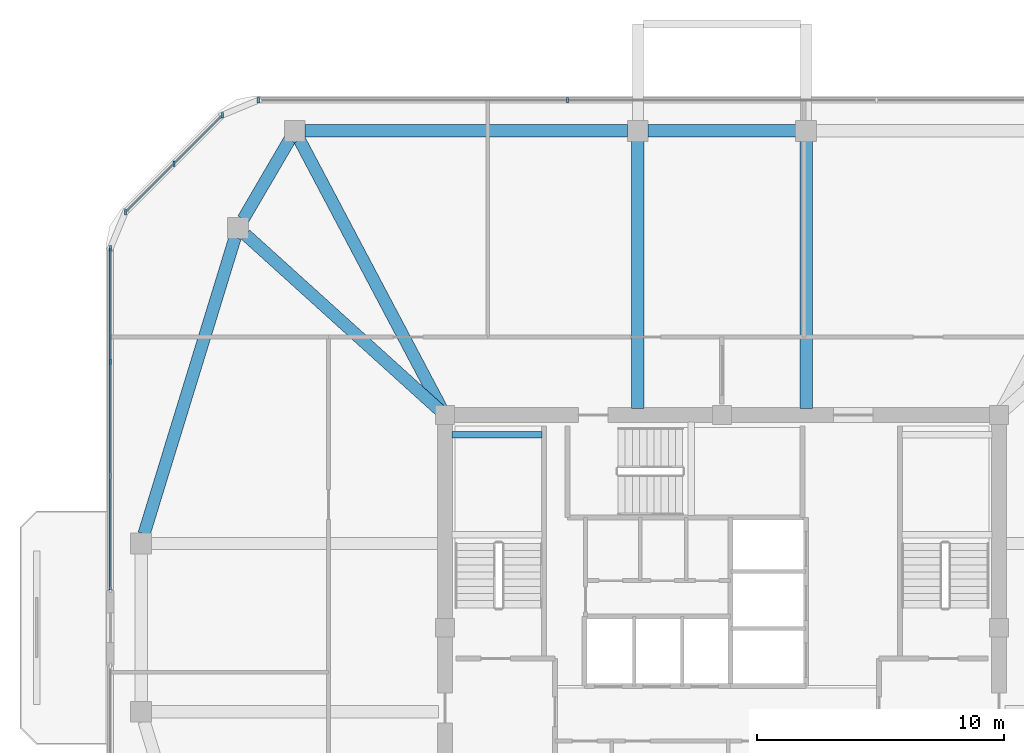
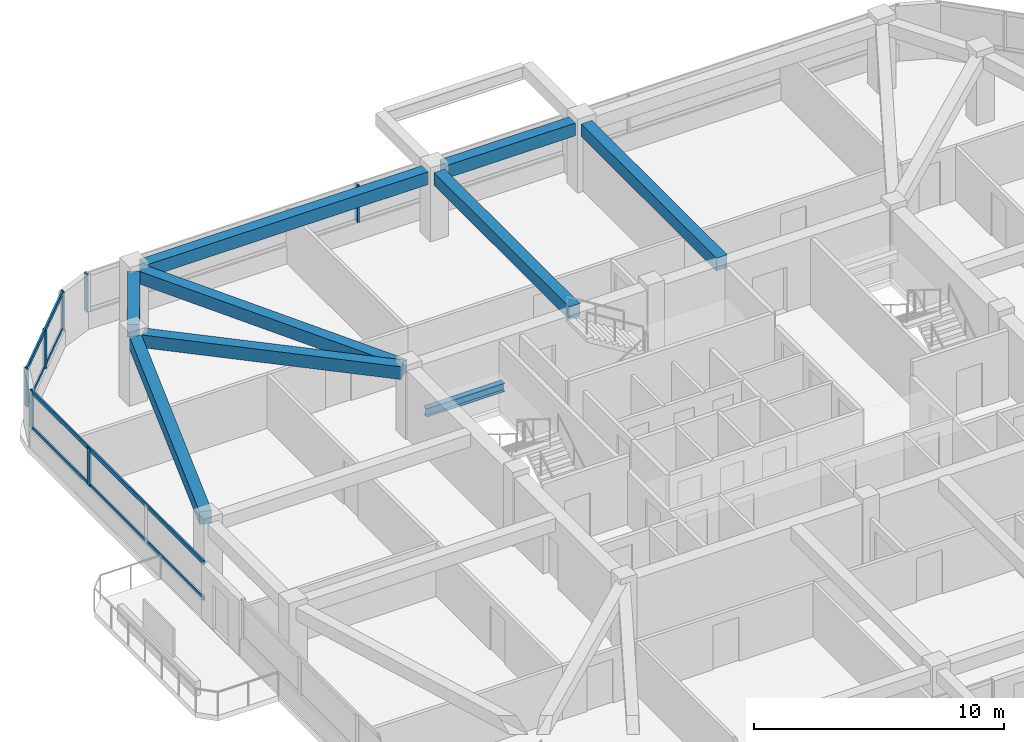
# One storey, part 4 of 12: 11 members, 9 beams, 3 elements without a shape of their own.
"""IFC4 building model written with IfcOpenShell, lengths in metres."""

from ifc_helpers import new_model, si_unit, derived_unit, direction, frame, origin, origin_2d, place, context, subcontext, project, spatial, rectangle, i_section, extrude, material, material_profile, profile_set, type_object, element, aggregate, save


model = new_model("IFC4")

# Units and contexts
model_context = context("Model", 3, precision=1e-05, world=origin(), true_north=direction((0.0, 1.0)))
body_context = subcontext(model_context, "Body", "Model", "MODEL_VIEW")
ifc_project = project(units=[si_unit("LENGTHUNIT", "METRE"), si_unit("AREAUNIT", "SQUARE_METRE"), si_unit("VOLUMEUNIT", "CUBIC_METRE"), si_unit("PLANEANGLEUNIT", "RADIAN"), si_unit("MASSUNIT", "GRAM", prefix="KILO"), derived_unit("THERMALTRANSMITTANCEUNIT", [(si_unit("POWERUNIT", "WATT"), 1), (si_unit("LENGTHUNIT", "METRE"), -2), (si_unit("THERMODYNAMICTEMPERATUREUNIT", "KELVIN"), -1)])], contexts=[model_context])

# Site, building, storey
site_placement = place(None, origin())
site = spatial("IfcSite", under=ifc_project, at=site_placement, CompositionType="ELEMENT")
building_placement = place(site_placement, origin())
building = spatial("IfcBuilding", under=site, at=building_placement, Name="Koralith Skygarden Medical Center", CompositionType="ELEMENT")
storey_placement = place(building_placement, frame((0.0, 0.0, 278.820068359375)))
storey = spatial("IfcBuildingStorey", under=building, at=storey_placement, Name="L72", CompositionType="ELEMENT", Elevation=278.820068359375)

# Curtain wall, members
ifc_material_1 = material(Name="Clear Laminated Glass", Category="glass")
curtain_wall_type = type_object("IfcCurtainWallType", Name="CW-6 Zone 5 Upper Clinical Curtain Wall", PredefinedType="NOTDEFINED", material=ifc_material_1)
curtain_wall_1_placement = place(storey_placement, origin())
curtain_wall_1 = element("IfcCurtainWall", 1, at=curtain_wall_1_placement, inside=storey, type_object=curtain_wall_type, Name="Curtain Wall CW-L72-N", PredefinedType="NOTDEFINED")
ifc_material_2 = material(Name="Aluminium 6063-T6", Category="aluminium")
ifc_material_profile_1 = material_profile(ifc_material_2, rectangle(XDim=0.0830078125, YDim=0.219970703125, at=origin_2d()), Name="MUL83X220")
ifc_profile_set_1 = profile_set([ifc_material_profile_1], Name="Aluminium 6063-T6")
member_type_1 = type_object("IfcMemberType", Name="CW-6 Extruded Mullion 83x220", PredefinedType="MULLION", material=ifc_profile_set_1)
member_1_placement = place(storey_placement, frame((30.751953125, 47.219970703125, 0.849853515625), z_axis=(0.0, 0.0, 1.0), x_axis=(1.0, 0.0, 0.0)))
member_1 = element("IfcMember", 2, at=member_1_placement, type_object=member_type_1, Name="CW-L72-N Mullion 3", PredefinedType="MULLION", context=body_context, shape_type="SweptSolid", body=[
    extrude(rectangle(XDim=0.0830078125, YDim=0.219970703125, at=origin_2d()), origin(), (0.0, 0.0, 1.0), 1.840087890625),
])
member_2_placement = place(storey_placement, frame((18.2548828125, 47.219970703125, 0.849853515625), z_axis=(0.0, 0.0, 1.0), x_axis=(1.0, 0.0, 0.0)))
member_2 = element("IfcMember", 3, at=member_2_placement, type_object=member_type_1, Name="CW-L72-N Mullion 4", PredefinedType="MULLION", context=body_context, shape_type="SweptSolid", body=[
    extrude(rectangle(XDim=0.0830078125, YDim=0.219970703125, at=origin_2d()), origin(), (0.0, 0.0, 1.0), 1.840087890625),
])
aggregate(curtain_wall_1, [member_1, member_2])

curtain_wall_2_placement = place(storey_placement, origin())
curtain_wall_2 = element("IfcCurtainWall", 4, at=curtain_wall_2_placement, inside=storey, type_object=curtain_wall_type, Name="Curtain Wall CW-L72-NW", PredefinedType="NOTDEFINED")
member_3_placement = place(storey_placement, frame((16.803955078125, 46.618896484375, 0.849853515625), z_axis=(0.0, 0.0, 1.0), x_axis=(1.0, 0.0, 0.0)))
member_3 = element("IfcMember", 5, at=member_3_placement, type_object=member_type_1, Name="CW-L72-NW Mullion 1", PredefinedType="MULLION", context=body_context, shape_type="SweptSolid", body=[
    extrude(rectangle(XDim=0.0830078125, YDim=0.219970703125, at=origin_2d()), origin(), (0.0, 0.0, 1.0), 1.840087890625),
])
member_4_placement = place(storey_placement, frame((14.842041015625, 44.656982421875, 0.849853515625), z_axis=(0.0, 0.0, 1.0), x_axis=(1.0, 0.0, 0.0)))
member_4 = element("IfcMember", 6, at=member_4_placement, type_object=member_type_1, Name="CW-L72-NW Mullion 2", PredefinedType="MULLION", context=body_context, shape_type="SweptSolid", body=[
    extrude(rectangle(XDim=0.0830078125, YDim=0.219970703125, at=origin_2d()), origin(), (0.0, 0.0, 1.0), 1.840087890625),
])
member_5_placement = place(storey_placement, frame((12.881103515625, 42.696044921875, 0.849853515625), z_axis=(0.0, 0.0, 1.0), x_axis=(1.0, 0.0, 0.0)))
member_5 = element("IfcMember", 7, at=member_5_placement, type_object=member_type_1, Name="CW-L72-NW Mullion 3", PredefinedType="MULLION", context=body_context, shape_type="SweptSolid", body=[
    extrude(rectangle(XDim=0.0830078125, YDim=0.219970703125, at=origin_2d()), origin(), (0.0, 0.0, 1.0), 1.840087890625),
])

curtain_wall_3_placement = place(storey_placement, origin())
curtain_wall_3 = element("IfcCurtainWall", 8, at=curtain_wall_3_placement, inside=storey, type_object=curtain_wall_type, Name="Curtain Wall CW-L72-W-L", PredefinedType="NOTDEFINED")
member_6_placement = place(storey_placement, frame((12.280029296875, 41.2451171875, 0.849853515625), z_axis=(0.0, 0.0, 1.0), x_axis=(1.0, 0.0, 0.0)))
member_6 = element("IfcMember", 9, at=member_6_placement, type_object=member_type_1, Name="CW-L72-W-L Mullion 1", PredefinedType="MULLION", context=body_context, shape_type="SweptSolid", body=[
    extrude(rectangle(XDim=0.0830078125, YDim=0.219970703125, at=origin_2d()), origin(), (0.0, 0.0, 1.0), 1.840087890625),
])
member_7_placement = place(storey_placement, frame((12.280029296875, 36.64306640625, 0.849853515625), z_axis=(0.0, 0.0, 1.0), x_axis=(1.0, 0.0, 0.0)))
member_7 = element("IfcMember", 10, at=member_7_placement, type_object=member_type_1, Name="CW-L72-W-L Mullion 2", PredefinedType="MULLION", context=body_context, shape_type="SweptSolid", body=[
    extrude(rectangle(XDim=0.0830078125, YDim=0.219970703125, at=origin_2d()), origin(), (0.0, 0.0, 1.0), 1.840087890625),
])

# Member
ifc_material_profile_2 = material_profile(ifc_material_2, rectangle(XDim=0.077880859375, YDim=0.197998046875, at=origin_2d()), Name="TRN78X198")
ifc_profile_set_2 = profile_set([ifc_material_profile_2], Name="Aluminium 6063-T6")
member_type_2 = type_object("IfcMemberType", Name="CW-6 Thermal Transom 78x198", PredefinedType="USERDEFINED", material=ifc_profile_set_2)
member_8_placement = place(storey_placement, frame((16.803955078125, 46.618896484375, 0.89990234375), z_axis=(-0.707106781187, -0.707106781187, 0.0), x_axis=(0.707106781187, -0.707106781187, 0.0)))
member_8 = element("IfcMember", 11, at=member_8_placement, type_object=member_type_2, Name="CW-L72-NW Transom 1", ObjectType="TRANSOM", PredefinedType="USERDEFINED", context=body_context, shape_type="SweptSolid", body=[
    extrude(rectangle(XDim=0.077880859375, YDim=0.197998046875, at=origin_2d()), origin(), (0.0, 0.0, 1.0), 5.5478515625),
])

member_9_placement = place(storey_placement, frame((16.803955078125, 46.618896484375, 2.639892578125), z_axis=(-0.707106781187, -0.707106781187, 0.0), x_axis=(0.707106781187, -0.707106781187, 0.0)))
member_9 = element("IfcMember", 12, at=member_9_placement, type_object=member_type_2, Name="CW-L72-NW Transom 2", ObjectType="TRANSOM", PredefinedType="USERDEFINED", context=body_context, shape_type="SweptSolid", body=[
    extrude(rectangle(XDim=0.077880859375, YDim=0.197998046875, at=origin_2d()), origin(), (0.0, 0.0, 1.0), 5.5478515625),
])

aggregate(curtain_wall_2, [member_3, member_4, member_5, member_8, member_9])

member_10_placement = place(storey_placement, frame((12.280029296875, 41.2451171875, 0.89990234375), z_axis=(0.0, -1.0, 0.0), x_axis=(1.0, 0.0, 0.0)))
member_10 = element("IfcMember", 13, at=member_10_placement, type_object=member_type_2, Name="CW-L72-W-L Transom 1", ObjectType="TRANSOM", PredefinedType="USERDEFINED", context=body_context, shape_type="SweptSolid", body=[
    extrude(rectangle(XDim=0.077880859375, YDim=0.197998046875, at=origin_2d()), origin(), (0.0, 0.0, 1.0), 13.80517578125),
])

member_11_placement = place(storey_placement, frame((12.280029296875, 41.2451171875, 2.639892578125), z_axis=(0.0, -1.0, 0.0), x_axis=(1.0, 0.0, 0.0)))
member_11 = element("IfcMember", 14, at=member_11_placement, type_object=member_type_2, Name="CW-L72-W-L Transom 2", ObjectType="TRANSOM", PredefinedType="USERDEFINED", context=body_context, shape_type="SweptSolid", body=[
    extrude(rectangle(XDim=0.077880859375, YDim=0.197998046875, at=origin_2d()), origin(), (0.0, 0.0, 1.0), 13.80517578125),
])

aggregate(curtain_wall_3, [member_6, member_7, member_10, member_11])

# Beams
ifc_material_3 = material(Name="Steel ASTM A992 Grade 50", Category="steel")
ifc_material_profile_3 = material_profile(ifc_material_3, i_section(OverallWidth=0.260009765625, OverallDepth=0.4150390625, WebThickness=0.010009765625, FlangeThickness=0.016845703125, at=origin_2d()), Name="W16X67")
ifc_profile_set_3 = profile_set([ifc_material_profile_3], Name="Steel ASTM A992 Grade 50")
beam_type_1 = type_object("IfcBeamType", Name="Clinical Floor Joist W16X67", PredefinedType="JOIST", material=ifc_profile_set_3)
beam_1_placement = place(storey_placement, frame((26.080078125, 33.699951171875, 1.392822265625), z_axis=(1.0, 0.0, 0.0), x_axis=(0.0, 1.0, 0.0)))
element("IfcBeam", 15, at=beam_1_placement, inside=storey, type_object=beam_type_1, Name="L72 Stair ST1 Half-Landing Support Beam 1B", PredefinedType="JOIST", context=body_context, shape_type="SweptSolid", body=[
    extrude(i_section(OverallWidth=0.260009765625, OverallDepth=0.4150390625, WebThickness=0.010009765625, FlangeThickness=0.016845703125, at=origin_2d()), origin(), (0.0, 0.0, 1.0), 3.639892578125),
])
ifc_material_4 = material(Name="Concrete C45/55", Category="concrete")
ifc_material_profile_4 = material_profile(ifc_material_4, rectangle(XDim=0.5, YDim=0.6201171875, at=origin_2d()), Name="RCB500X620")
ifc_profile_set_4 = profile_set([ifc_material_profile_4], Name="Concrete C45/55")
beam_type_2 = type_object("IfcBeamType", Name="Upper Radial Collector Beam RCB500X620", PredefinedType="BEAM", material=ifc_profile_set_4)
for number, where, z_axis, x_axis, name in (
    (16, (40.39990234375, 34.75, 3.010009765625), (0.0, 1.0, 0.0), (-1.0, 0.0, 0.0), "L72 Radial Collector Beam RB-12"),
    (17, (33.60009765625, 34.75, 3.010009765625), (0.0, 1.0, 0.0), (-1.0, 0.0, 0.0), "L72 Radial Collector Beam RB-13"),
):
    element("IfcBeam", number, at=place(storey_placement, frame(where, z_axis=z_axis, x_axis=x_axis)), inside=storey, type_object=beam_type_2, Name=name, PredefinedType="BEAM", context=body_context, shape_type="SweptSolid", body=[
        extrude(rectangle(XDim=0.5, YDim=0.6201171875, at=origin_2d()), origin(), (0.0, 0.0, 1.0), 10.820068359375),
    ])
beam_2_placement = place(storey_placement, frame((25.68310546875, 34.720947265625, 3.010009765625), z_axis=(-0.467256895772, 0.884121594213, 0.0), x_axis=(-0.884121594213, -0.467256895772, 0.0)))
element("IfcBeam", 18, at=beam_2_placement, inside=storey, type_object=beam_type_2, Name="L72 Radial Collector Beam RB-14", PredefinedType="BEAM", context=body_context, shape_type="SweptSolid", body=[
    extrude(rectangle(XDim=0.5, YDim=0.6201171875, at=origin_2d()), origin(), (0.0, 0.0, 1.0), 12.3251953125),
])
beam_3_placement = place(storey_placement, frame((25.614990234375, 34.66796875, 3.010009765625), z_axis=(-0.741747768548, 0.670678945438, 0.0), x_axis=(-0.670678945438, -0.741747768548, 0.0)))
element("IfcBeam", 19, at=beam_3_placement, inside=storey, type_object=beam_type_2, Name="L72 Radial Collector Beam RB-15", PredefinedType="BEAM", context=body_context, shape_type="SweptSolid", body=[
    extrude(rectangle(XDim=0.5, YDim=0.6201171875, at=origin_2d()), origin(), (0.0, 0.0, 1.0), 10.611572265625),
])
ifc_material_profile_5 = material_profile(ifc_material_4, rectangle(XDim=0.5, YDim=0.6201171875, at=origin_2d()), Name="RCB500X620")
ifc_profile_set_5 = profile_set([ifc_material_profile_5], Name="Concrete C45/55")
beam_type_3 = type_object("IfcBeamType", Name="Zone 4-5 Spandrel Beam RCB500X620", PredefinedType="SPANDREL", material=ifc_profile_set_5)
beam_4_placement = place(storey_placement, frame((39.989990234375, 45.97998046875, 3.010009765625), z_axis=(-1.0, 0.0, 0.0), x_axis=(0.0, -1.0, 0.0)))
element("IfcBeam", 20, at=beam_4_placement, inside=storey, type_object=beam_type_3, Name="L72 Perimeter Spandrel Beam SP-12", PredefinedType="SPANDREL", context=body_context, shape_type="SweptSolid", body=[
    extrude(rectangle(XDim=0.5, YDim=0.6201171875, at=origin_2d()), origin(), (0.0, 0.0, 1.0), 5.97998046875),
])
beam_5_placement = place(storey_placement, frame((33.18994140625, 45.97998046875, 3.010009765625), z_axis=(-1.0, 0.0, 0.0), x_axis=(0.0, -1.0, 0.0)))
element("IfcBeam", 21, at=beam_5_placement, inside=storey, type_object=beam_type_3, Name="L72 Perimeter Spandrel Beam SP-13", PredefinedType="SPANDREL", context=body_context, shape_type="SweptSolid", body=[
    extrude(rectangle(XDim=0.5, YDim=0.6201171875, at=origin_2d()), origin(), (0.0, 0.0, 1.0), 13.0478515625),
])
beam_6_placement = place(storey_placement, frame((19.52490234375, 45.6259765625, 3.010009765625), z_axis=(-0.50473571007, -0.863273921175, 0.0), x_axis=(0.863273921175, -0.50473571007, 0.0)))
element("IfcBeam", 22, at=beam_6_placement, inside=storey, type_object=beam_type_3, Name="L72 Perimeter Spandrel Beam SP-14", PredefinedType="SPANDREL", context=body_context, shape_type="SweptSolid", body=[
    extrude(rectangle(XDim=0.5, YDim=0.6201171875, at=origin_2d()), origin(), (0.0, 0.0, 1.0), 3.720703125),
])
beam_7_placement = place(storey_placement, frame((17.320068359375, 41.66796875, 3.010009765625), z_axis=(-0.293738023424, -0.955885962652, 0.0), x_axis=(0.955885962652, -0.293738023424, 0.0)))
element("IfcBeam", 23, at=beam_7_placement, inside=storey, type_object=beam_type_3, Name="L72 Perimeter Spandrel Beam SP-15", PredefinedType="SPANDREL", context=body_context, shape_type="SweptSolid", body=[
    extrude(rectangle(XDim=0.5, YDim=0.6201171875, at=origin_2d()), origin(), (0.0, 0.0, 1.0), 12.52880859375),
])

save(model, "model.ifc")
